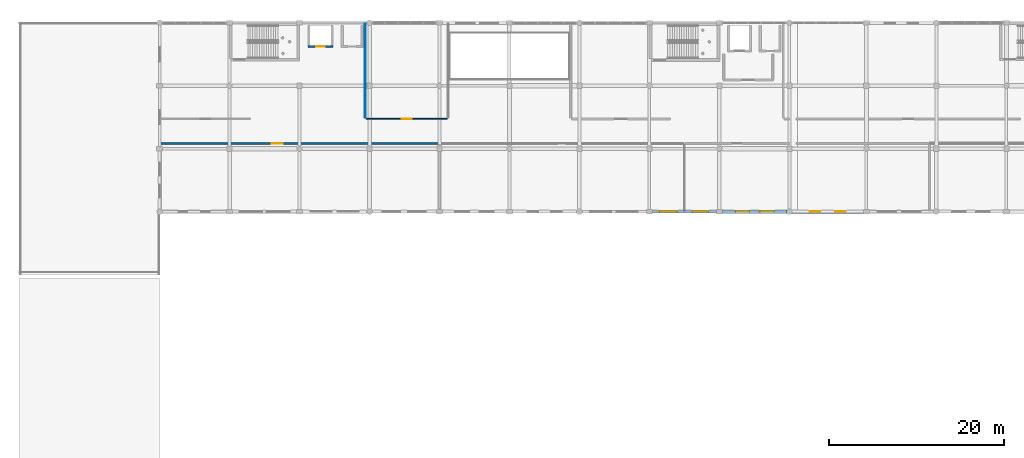
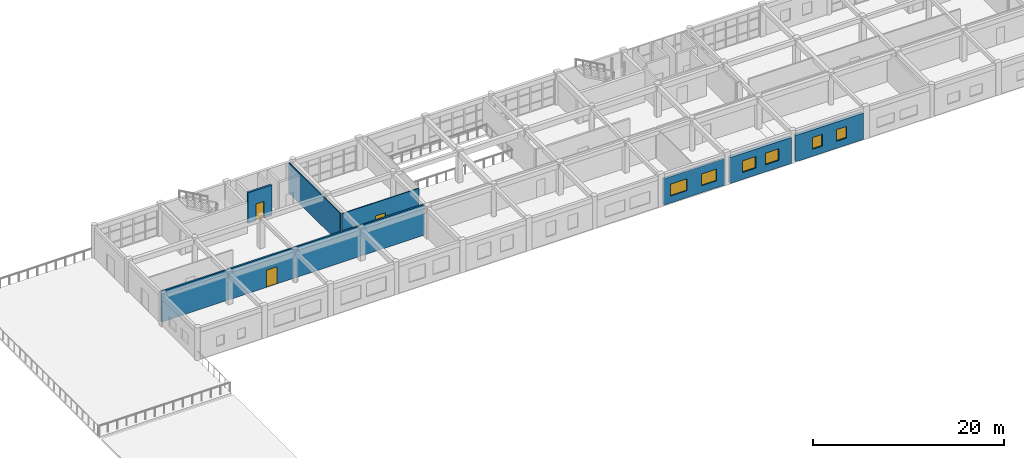
# One storey, part 42 of 53: 7 walls, 6 windows, 3 doors, 9 openings.
"""IFC4 building model written with IfcOpenShell, lengths in metres."""

import ifcopenshell
import ifcopenshell.guid

model = None  # the IFC model being written
_history = None  # IfcOwnerHistory: only IFC2X3 demands one
_inside = {}  # id of a spatial element -> (the spatial element, [elements in it])
_under = {}  # id of a project, library or spatial element -> (it, [spatial elements below it])
_declared = {}  # id of a project -> (the project, [libraries it declares])
_typed = {}  # id of a type object -> (the type object, [elements of that type])
_made_of = {}  # id of a material, layer set ... -> (it, [elements and type objects made of it])


def new_model(schema):
    """Start an empty IFC model of exactly this schema.

    Asked for "IFC4X3", IfcOpenShell would pick the latest addendum, in which some entities
    have other attributes; the version numbers below select the first issue.
    IFC2X3 requires an IfcOwnerHistory on every rooted entity: one is made here for all.
    """
    global model, _history
    if schema == "IFC4X3":
        model = ifcopenshell.file(schema_version=(4, 3, 0, 0))
    else:
        model = ifcopenshell.file(schema=schema)
    _inside.clear()
    _under.clear()
    _declared.clear()
    _typed.clear()
    _made_of.clear()
    _history = None
    if model.schema == "IFC2X3":
        org = make("IfcOrganization", Name="unknown")
        user = make(
            "IfcPersonAndOrganization",
            ThePerson=make("IfcPerson", FamilyName="unknown"),
            TheOrganization=org,
        )
        app = make(
            "IfcApplication",
            ApplicationDeveloper=org,
            Version="unknown",
            ApplicationFullName="unknown",
            ApplicationIdentifier="unknown",
        )
        _history = make(
            "IfcOwnerHistory",
            OwningUser=user,
            OwningApplication=app,
            ChangeAction="ADDED",
            CreationDate=0,
        )
    return model


def make(cls, **values):
    """One entity of the class cls with the attributes given. An attribute that is None is left unset."""
    return model.create_entity(
        cls, **{name: value for name, value in values.items() if value is not None}
    )


def rooted(cls, **values):
    """An entity with a GlobalId (a new one), such as an element, a storey or a relation."""
    return make(cls, GlobalId=ifcopenshell.guid.new(), OwnerHistory=_history, **values)


def si_unit(unit_type, name, prefix=None):
    """IfcSIUnit, for example si_unit("LENGTHUNIT", "METRE", prefix="MILLI")."""
    return make("IfcSIUnit", UnitType=unit_type, Prefix=prefix, Name=name)


def assignment(units):
    """IfcUnitAssignment: the units of a project."""
    return None if units is None else make("IfcUnitAssignment", Units=units)


def point(xyz):
    """IfcCartesianPoint."""
    return None if xyz is None else make("IfcCartesianPoint", Coordinates=xyz)


def direction(xyz):
    """IfcDirection."""
    return None if xyz is None else make("IfcDirection", DirectionRatios=xyz)


def frame(location, z_axis=None, x_axis=None):
    """IfcAxis2Placement3D, a coordinate frame: its origin and axes. An axis left out is left unset."""
    return make(
        "IfcAxis2Placement3D",
        Location=point(location),
        Axis=direction(z_axis),
        RefDirection=direction(x_axis),
    )


def frame_2d(location, x_axis=None):
    """IfcAxis2Placement2D, a coordinate frame in the plane: its origin and x axis."""
    return make(
        "IfcAxis2Placement2D", Location=point(location), RefDirection=direction(x_axis)
    )


def origin():
    """The frame at (0, 0, 0) with its axes left unset."""
    return frame((0.0, 0.0, 0.0))


def place(relative_to, where):
    """IfcLocalPlacement: puts the frame where relative to a parent placement (None: the world)."""
    return make(
        "IfcLocalPlacement", PlacementRelTo=relative_to, RelativePlacement=where
    )


def context(
    kind, dimensions, precision=None, world=None, true_north=None, identifier=None
):
    """IfcGeometricRepresentationContext, for example the 3D "Model" context."""
    return make(
        "IfcGeometricRepresentationContext",
        ContextIdentifier=identifier,
        ContextType=kind,
        CoordinateSpaceDimension=dimensions,
        Precision=precision,
        WorldCoordinateSystem=world,
        TrueNorth=true_north,
    )


def subcontext(parent, identifier, kind, view, scale=None):
    """IfcGeometricRepresentationSubContext, for example "Body" below "Model"."""
    return make(
        "IfcGeometricRepresentationSubContext",
        ContextIdentifier=identifier,
        ContextType=kind,
        ParentContext=parent,
        TargetScale=scale,
        TargetView=view,
    )


def project(units=None, contexts=None):
    """IfcProject with its units and contexts."""
    return rooted(
        "IfcProject",
        Name="project",
        RepresentationContexts=contexts,
        UnitsInContext=assignment(units),
    )


def spatial(cls, under=None, at=None, **own):
    """A site, building, storey or space (cls), placed at a placement, below another one or the project."""
    s = rooted(cls, ObjectPlacement=at, **own)
    if under is not None:
        _under.setdefault(under.id(), (under, []))[1].append(s)
    return s


def profile(cls, at=None, kind="AREA", **sizes):
    """A parametric profile (cls). Its sizes go by their IFC names, for example OverallWidth=200.0."""
    return make(cls, ProfileType=kind, Position=at, **sizes)


def rectangle(**sizes):
    """IfcRectangleProfileDef."""
    return profile("IfcRectangleProfileDef", **sizes)


def extrude(swept, where, along, depth):
    """IfcExtrudedAreaSolid: the profile swept, set in the frame where, extruded along a direction by depth."""
    return make(
        "IfcExtrudedAreaSolid",
        SweptArea=swept,
        Position=where,
        ExtrudedDirection=direction(along),
        Depth=depth,
    )


def shape(context_of_items, identifier, shape_type, items):
    """IfcShapeRepresentation: the items that make up one representation, for example the "Body"."""
    return make(
        "IfcShapeRepresentation",
        ContextOfItems=context_of_items,
        RepresentationIdentifier=identifier,
        RepresentationType=shape_type,
        Items=items,
    )


def material(Name=None, Category=None):
    """IfcMaterial."""
    return make("IfcMaterial", Name=Name, Category=Category)


def layer(
    of_material, thickness, ventilated=None, Name=None, Category=None, Priority=None
):
    """IfcMaterialLayer: one layer of a wall or slab, of a material (None: an air gap)."""
    return make(
        "IfcMaterialLayer",
        Material=of_material,
        LayerThickness=thickness,
        IsVentilated=ventilated,
        Name=Name,
        Category=Category,
        Priority=Priority,
    )


def layer_set(layers, Name=None):
    """IfcMaterialLayerSet."""
    return make("IfcMaterialLayerSet", MaterialLayers=layers, LayerSetName=Name)


def made_of(thing, what):
    """Note that an element or type object is made of a material, layer set ...; save() writes the relation."""
    if what is not None:
        _made_of.setdefault(what.id(), (what, []))[1].append(thing)
    return thing


def type_object(cls, material=None, **own):
    """A type object (cls), such as IfcWallType, which elements share."""
    return made_of(rooted(cls, **own), material)


def element(
    cls,
    number,
    at=None,
    inside=None,
    cuts=None,
    type_object=None,
    material=None,
    context=None,
    identifier="Body",
    shape_type=None,
    held_by="IfcProductDefinitionShape",
    body=None,
    shapes=None,
    **own,
):
    """One element of the class cls, such as IfcWall. Its Tag is "e" and its number.

    at: its placement. inside: the storey or other place that contains it. cuts: it is an
    opening in that element (IfcRelVoidsElement). A single representation is given by context,
    identifier, shape_type and body (its items); several are given by shapes. held_by: the class
    of the entity that holds the representations. save() writes the other relations.
    """
    e = rooted(cls, Tag="e%d" % number, ObjectPlacement=at, **own)
    if body is not None:
        shapes = [shape(context, identifier, shape_type, body)]
    if shapes is not None:
        e.Representation = make(held_by, Representations=shapes)
    if inside is not None:
        _inside.setdefault(inside.id(), (inside, []))[1].append(e)
    if cuts is not None:
        rooted(
            "IfcRelVoidsElement", RelatingBuildingElement=cuts, RelatedOpeningElement=e
        )
    if type_object is not None:
        _typed.setdefault(type_object.id(), (type_object, []))[1].append(e)
    return made_of(e, material)


def fill(opening, filler):
    """IfcRelFillsElement: the door or window that sits in an opening."""
    return rooted(
        "IfcRelFillsElement",
        RelatingOpeningElement=opening,
        RelatedBuildingElement=filler,
    )


def aggregate(whole, parts):
    """IfcRelAggregates: a whole, such as a stair, and the parts it consists of."""
    return rooted("IfcRelAggregates", RelatingObject=whole, RelatedObjects=parts)


def save(model, path):
    """Write the relations noted so far, then the file.

    IfcRelAggregates (storeys below a building ...), IfcRelContainedInSpatialStructure (elements
    in a storey), IfcRelDefinesByType, IfcRelAssociatesMaterial and IfcRelDeclares: one each for
    every whole, place, type object, material and project.
    """
    for whole, parts in _under.values():
        aggregate(whole, parts)
    for where, things in _inside.values():
        rooted(
            "IfcRelContainedInSpatialStructure",
            RelatedElements=things,
            RelatingStructure=where,
        )
    for kind, things in _typed.values():
        rooted("IfcRelDefinesByType", RelatedObjects=things, RelatingType=kind)
    for what, things in _made_of.values():
        rooted("IfcRelAssociatesMaterial", RelatedObjects=things, RelatingMaterial=what)
    for by, libraries in _declared.values():
        rooted("IfcRelDeclares", RelatingContext=by, RelatedDefinitions=libraries)
    model.write(path)


model = new_model("IFC4")

# Units and contexts
model_context = context("Model", 3, precision=1e-05, world=origin(), true_north=direction((0.0, 1.0)))
body_context = subcontext(model_context, "Body", "Model", "MODEL_VIEW")
ifc_project = project(units=[si_unit("LENGTHUNIT", "METRE"), si_unit("AREAUNIT", "SQUARE_METRE"), si_unit("VOLUMEUNIT", "CUBIC_METRE"), si_unit("PLANEANGLEUNIT", "RADIAN"), si_unit("MASSUNIT", "GRAM", prefix="KILO")], contexts=[model_context])

# Site, building, storey
site_placement = place(None, origin())
site = spatial("IfcSite", under=ifc_project, at=site_placement, CompositionType="ELEMENT")
building_placement = place(site_placement, origin())
building = spatial("IfcBuilding", under=site, at=building_placement, Name="Kharva Crest Polytechnic", CompositionType="ELEMENT")
storey_placement = place(building_placement, frame((0.0, 0.0, 17.39990234375)))
storey = spatial("IfcBuildingStorey", under=building, at=storey_placement, Name="L04", CompositionType="ELEMENT", Elevation=17.39990234375)

# Wall, openings, windows
ifc_material_1 = material(Name="Kiln brick masonry", Category="masonry")
ifc_layer_1 = layer(ifc_material_1, 0.260009765625, Name="Kiln brick masonry")
ifc_layer_set_1 = layer_set([ifc_layer_1], Name="Kiln brick masonry")
wall_type_1 = type_object("IfcWallType", Name="WL-EXT-BRK-260", PredefinedType="SOLIDWALL", material=ifc_layer_set_1)
wall_1_placement = place(storey_placement, frame((104.344970703125, 100.39990234375, 0.0), z_axis=(0.0, 0.0, 1.0), x_axis=(1.0, 0.0, 0.0)))
wall_1 = element("IfcWall", 1, at=wall_1_placement, inside=storey, type_object=wall_type_1, Name="L04 Exterior Brick Wall 401", PredefinedType="SOLIDWALL", context=body_context, shape_type="SweptSolid", body=[
    extrude(rectangle(XDim=7.320068359375, YDim=0.260009765625, at=frame_2d((3.66015625, 0.0))), origin(), (0.0, 0.0, 1.0), 3.3701171875),
])
opening_1_placement = place(wall_1_placement, frame((0.827880859375, 0.0, 0.89990234375)))
opening_1 = element("IfcOpeningElement", 2, at=opening_1_placement, cuts=wall_1, Name="Opening W12", PredefinedType="OPENING", context=body_context, shape_type="SweptSolid", body=[
    extrude(rectangle(XDim=2.0, YDim=1.5, at=frame_2d((1.0, 0.75))), frame((0.0, 0.139892578125, 0.0), z_axis=(0.0, -1.0, 0.0), x_axis=(1.0, 0.0, 0.0)), (0.0, 0.0, 1.0), 0.280029296875),
])
opening_2_placement = place(wall_1_placement, frame((4.587890625, 0.0, 0.89990234375)))
opening_2 = element("IfcOpeningElement", 3, at=opening_2_placement, cuts=wall_1, Name="Opening W13", PredefinedType="OPENING", context=body_context, shape_type="SweptSolid", body=[
    extrude(rectangle(XDim=1.800048828125, YDim=1.5, at=frame_2d((0.89990234375, 0.75))), frame((0.0, 0.139892578125, 0.0), z_axis=(0.0, -1.0, 0.0), x_axis=(1.0, 0.0, 0.0)), (0.0, 0.0, 1.0), 0.280029296875),
])
ifc_material_2 = material(Name="Anodised aluminium", Category="aluminium")
window_type_1 = type_object("IfcWindowType", Name="WIN-ALU-1800X1500", PartitioningType="SINGLE_PANEL", PredefinedType="WINDOW", material=ifc_material_2)
window_1_placement = place(opening_2_placement, origin())
window_1 = element("IfcWindow", 4, at=window_1_placement, inside=storey, type_object=window_type_1, Name="L04 Exterior Window 560", OverallHeight=1.5, OverallWidth=1.800048828125, PartitioningType="SINGLE_PANEL", PredefinedType="WINDOW", context=body_context, shape_type="SweptSolid", body=[
    extrude(rectangle(XDim=1.800048828125, YDim=1.5, at=frame_2d((0.89990234375, 0.75))), frame((0.0, 0.030029296875, 0.0), z_axis=(0.0, -1.0, 0.0), x_axis=(1.0, 0.0, 0.0)), (0.0, 0.0, 1.0), 0.06005859375),
])
fill(opening_2, window_1)
window_type_2 = type_object("IfcWindowType", Name="WIN-ALU-2000X1500", PartitioningType="SINGLE_PANEL", PredefinedType="WINDOW", material=ifc_material_2)
window_2_placement = place(opening_1_placement, origin())
window_2 = element("IfcWindow", 5, at=window_2_placement, inside=storey, type_object=window_type_2, Name="L04 Exterior Window 559", OverallHeight=1.5, OverallWidth=2.0, PartitioningType="SINGLE_PANEL", PredefinedType="WINDOW", context=body_context, shape_type="SweptSolid", body=[
    extrude(rectangle(XDim=2.0, YDim=1.5, at=frame_2d((1.0, 0.75))), frame((0.0, 0.030029296875, 0.0), z_axis=(0.0, -1.0, 0.0), x_axis=(1.0, 0.0, 0.0)), (0.0, 0.0, 1.0), 0.06005859375),
])
fill(opening_1, window_2)

ifc_layer_2 = layer(ifc_material_1, 0.364990234375, Name="Kiln brick masonry")
ifc_layer_set_2 = layer_set([ifc_layer_2], Name="Kiln brick masonry")
wall_type_2 = type_object("IfcWallType", Name="WL-EXT-BRK-365", PredefinedType="SOLIDWALL", material=ifc_layer_set_2)
wall_2_placement = place(storey_placement, frame((120.268798828125, 100.39990234375, 0.0), z_axis=(0.0, 0.0, 1.0), x_axis=(1.0, 0.0, 0.0)))
wall_2 = element("IfcWall", 6, at=wall_2_placement, inside=storey, type_object=wall_type_2, Name="L04 Exterior Brick Wall 403", PredefinedType="SOLIDWALL", context=body_context, shape_type="SweptSolid", body=[
    extrude(rectangle(XDim=8.1962890625, YDim=0.364990234375, at=frame_2d((4.09814453125, 0.0))), origin(), (0.0, 0.0, 1.0), 3.3701171875),
])
opening_3_placement = place(wall_2_placement, frame((2.0390625, 0.0, 0.89990234375)))
opening_3 = element("IfcOpeningElement", 7, at=opening_3_placement, cuts=wall_2, Name="Opening W16", PredefinedType="OPENING", context=body_context, shape_type="SweptSolid", body=[
    extrude(rectangle(XDim=1.199951171875, YDim=1.5, at=frame_2d((0.60009765625, 0.75))), frame((0.0, 0.1923828125, 0.0), z_axis=(0.0, -1.0, 0.0), x_axis=(1.0, 0.0, 0.0)), (0.0, 0.0, 1.0), 0.385009765625),
])
opening_4_placement = place(wall_2_placement, frame((4.95703125, 0.0, 0.89990234375)))
opening_4 = element("IfcOpeningElement", 8, at=opening_4_placement, cuts=wall_2, Name="Opening W16", PredefinedType="OPENING", context=body_context, shape_type="SweptSolid", body=[
    extrude(rectangle(XDim=1.199951171875, YDim=1.5, at=frame_2d((0.60009765625, 0.75))), frame((0.0, 0.1923828125, 0.0), z_axis=(0.0, -1.0, 0.0), x_axis=(1.0, 0.0, 0.0)), (0.0, 0.0, 1.0), 0.385009765625),
])
window_type_3 = type_object("IfcWindowType", Name="WIN-ALU-1200X1500", PartitioningType="SINGLE_PANEL", PredefinedType="WINDOW", material=ifc_material_2)
window_3_placement = place(opening_3_placement, origin())
window_3 = element("IfcWindow", 9, at=window_3_placement, inside=storey, type_object=window_type_3, Name="L04 Exterior Window 563", OverallHeight=1.5, OverallWidth=1.199951171875, PartitioningType="SINGLE_PANEL", PredefinedType="WINDOW", context=body_context, shape_type="SweptSolid", body=[
    extrude(rectangle(XDim=1.199951171875, YDim=1.5, at=frame_2d((0.60009765625, 0.75))), frame((0.0, 0.030029296875, 0.0), z_axis=(0.0, -1.0, 0.0), x_axis=(1.0, 0.0, 0.0)), (0.0, 0.0, 1.0), 0.06005859375),
])
fill(opening_3, window_3)
window_4_placement = place(opening_4_placement, origin())
window_4 = element("IfcWindow", 10, at=window_4_placement, inside=storey, type_object=window_type_3, Name="L04 Exterior Window 564", OverallHeight=1.5, OverallWidth=1.199951171875, PartitioningType="SINGLE_PANEL", PredefinedType="WINDOW", context=body_context, shape_type="SweptSolid", body=[
    extrude(rectangle(XDim=1.199951171875, YDim=1.5, at=frame_2d((0.60009765625, 0.75))), frame((0.0, 0.030029296875, 0.0), z_axis=(0.0, -1.0, 0.0), x_axis=(1.0, 0.0, 0.0)), (0.0, 0.0, 1.0), 0.06005859375),
])
fill(opening_4, window_4)

ifc_layer_3 = layer(ifc_material_1, 0.3798828125, Name="Kiln brick masonry")
ifc_layer_set_3 = layer_set([ifc_layer_3], Name="Kiln brick masonry")
wall_type_3 = type_object("IfcWallType", Name="WL-EXT-BRK-380", PredefinedType="SOLIDWALL", material=ifc_layer_set_3)
wall_3_placement = place(storey_placement, frame((112.3349609375, 100.39990234375, 0.0), z_axis=(0.0, 0.0, 1.0), x_axis=(1.0, 0.0, 0.0)))
wall_3 = element("IfcWall", 11, at=wall_3_placement, inside=storey, type_object=wall_type_3, Name="L04 Exterior Brick Wall 402", PredefinedType="SOLIDWALL", context=body_context, shape_type="SweptSolid", body=[
    extrude(rectangle(XDim=7.396240234375, YDim=0.3798828125, at=frame_2d((3.6982421875, 0.0))), origin(), (0.0, 0.0, 1.0), 3.320068359375),
])
opening_5_placement = place(wall_3_placement, frame((1.5048828125, 0.0, 0.89990234375)))
opening_5 = element("IfcOpeningElement", 12, at=opening_5_placement, cuts=wall_3, Name="Opening W14", PredefinedType="OPENING", context=body_context, shape_type="SweptSolid", body=[
    extrude(rectangle(XDim=1.60009765625, YDim=1.5, at=frame_2d((0.800048828125, 0.75))), frame((0.0, 0.199951171875, 0.0), z_axis=(0.0, -1.0, 0.0), x_axis=(1.0, 0.0, 0.0)), (0.0, 0.0, 1.0), 0.39990234375),
])
opening_6_placement = place(wall_3_placement, frame((4.291015625, 0.0, 0.89990234375)))
opening_6 = element("IfcOpeningElement", 13, at=opening_6_placement, cuts=wall_3, Name="Opening W14", PredefinedType="OPENING", context=body_context, shape_type="SweptSolid", body=[
    extrude(rectangle(XDim=1.60009765625, YDim=1.5, at=frame_2d((0.800048828125, 0.75))), frame((0.0, 0.199951171875, 0.0), z_axis=(0.0, -1.0, 0.0), x_axis=(1.0, 0.0, 0.0)), (0.0, 0.0, 1.0), 0.39990234375),
])
window_type_4 = type_object("IfcWindowType", Name="WIN-ALU-1600X1500", PartitioningType="SINGLE_PANEL", PredefinedType="WINDOW", material=ifc_material_2)
window_5_placement = place(opening_5_placement, origin())
window_5 = element("IfcWindow", 14, at=window_5_placement, inside=storey, type_object=window_type_4, Name="L04 Exterior Window 561", OverallHeight=1.5, OverallWidth=1.60009765625, PartitioningType="SINGLE_PANEL", PredefinedType="WINDOW", context=body_context, shape_type="SweptSolid", body=[
    extrude(rectangle(XDim=1.60009765625, YDim=1.5, at=frame_2d((0.800048828125, 0.75))), frame((0.0, 0.030029296875, 0.0), z_axis=(0.0, -1.0, 0.0), x_axis=(1.0, 0.0, 0.0)), (0.0, 0.0, 1.0), 0.06005859375),
])
fill(opening_5, window_5)
window_6_placement = place(opening_6_placement, origin())
window_6 = element("IfcWindow", 15, at=window_6_placement, inside=storey, type_object=window_type_4, Name="L04 Exterior Window 562", OverallHeight=1.5, OverallWidth=1.60009765625, PartitioningType="SINGLE_PANEL", PredefinedType="WINDOW", context=body_context, shape_type="SweptSolid", body=[
    extrude(rectangle(XDim=1.60009765625, YDim=1.5, at=frame_2d((0.800048828125, 0.75))), frame((0.0, 0.030029296875, 0.0), z_axis=(0.0, -1.0, 0.0), x_axis=(1.0, 0.0, 0.0)), (0.0, 0.0, 1.0), 0.06005859375),
])
fill(opening_6, window_6)

# Wall, opening, door
ifc_layer_4 = layer(ifc_material_1, 0.199951171875, Name="Kiln brick masonry")
ifc_layer_set_4 = layer_set([ifc_layer_4], Name="Kiln brick masonry")
wall_type_4 = type_object("IfcWallType", Name="WL-FIRE-FW1-200", PredefinedType="SOLIDWALL", material=ifc_layer_set_4)
wall_4_placement = place(storey_placement, frame((48.110107421875, 108.18994140625, 0.0), z_axis=(0.0, 0.0, 1.0), x_axis=(1.0, 0.0, 0.0)))
wall_4 = element("IfcWall", 16, at=wall_4_placement, inside=storey, type_object=wall_type_4, Name="L04 Interior Partition 336", PredefinedType="SOLIDWALL", context=body_context, shape_type="SweptSolid", body=[
    extrude(rectangle(XDim=31.77978515625, YDim=0.199951171875, at=frame_2d((15.889892578125, 0.0))), origin(), (0.0, 0.0, 1.0), 3.900146484375),
])
opening_7_placement = place(wall_4_placement, frame((12.7080078125, 0.0, 0.0)))
opening_7 = element("IfcOpeningElement", 17, at=opening_7_placement, cuts=wall_4, Name="Opening ID7", PredefinedType="OPENING", context=body_context, shape_type="SweptSolid", body=[
    extrude(rectangle(XDim=1.280029296875, YDim=2.199951171875, at=frame_2d((0.64013671875, 1.10009765625))), frame((0.0, 0.10986328125, 0.0), z_axis=(0.0, -1.0, 0.0), x_axis=(1.0, 0.0, 0.0)), (0.0, 0.0, 1.0), 0.219970703125),
])
ifc_material_3 = material(Name="Teak timber", Category="wood")
door_type_1 = type_object("IfcDoorType", Name="DR-LAB-1280X2200", OperationType="NOTDEFINED", PredefinedType="DOOR", material=ifc_material_3)
door_1_placement = place(opening_7_placement, origin())
door_1 = element("IfcDoor", 18, at=door_1_placement, inside=storey, type_object=door_type_1, Name="L04 Building Physics and Daylight Laboratory Door", OperationType="SINGLE_SWING_LEFT", OverallHeight=2.199951171875, OverallWidth=1.280029296875, PredefinedType="DOOR", context=body_context, shape_type="SweptSolid", body=[
    extrude(rectangle(XDim=1.280029296875, YDim=2.199951171875, at=frame_2d((0.64013671875, 1.10009765625))), frame((0.0, 0.02490234375, 0.0), z_axis=(0.0, -1.0, 0.0), x_axis=(1.0, 0.0, 0.0)), (0.0, 0.0, 1.0), 0.050048828125),
])
fill(opening_7, door_1)

# Wall
ifc_layer_5 = layer(ifc_material_1, 0.10009765625, Name="Kiln brick masonry")
ifc_layer_set_5 = layer_set([ifc_layer_5], Name="Kiln brick masonry")
wall_type_5 = type_object("IfcWallType", Name="WL-PART-100", PredefinedType="PARTITIONING", material=ifc_layer_set_5)
wall_5_placement = place(storey_placement, frame((71.5, 111.1201171875, 0.0), z_axis=(0.0, 0.0, 1.0), x_axis=(0.0, 1.0, 0.0)))
element("IfcWall", 19, at=wall_5_placement, inside=storey, type_object=wall_type_5, Name="L04 Interior Partition 348", PredefinedType="PARTITIONING", context=body_context, shape_type="SweptSolid", body=[
    extrude(rectangle(XDim=10.769775390625, YDim=0.10009765625, at=frame_2d((5.384765625, 0.0))), origin(), (0.0, 0.0, 1.0), 3.900146484375),
])

# Wall, opening, door
ifc_layer_6 = layer(ifc_material_1, 0.110107421875, Name="Kiln brick masonry")
ifc_layer_set_6 = layer_set([ifc_layer_6], Name="Kiln brick masonry")
wall_type_6 = type_object("IfcWallType", Name="WL-PART-110", PredefinedType="PARTITIONING", material=ifc_layer_set_6)
wall_6_placement = place(storey_placement, frame((71.610107421875, 111.010009765625, 0.0), z_axis=(0.0, 0.0, 1.0), x_axis=(1.0, 0.0, 0.0)))
wall_6 = element("IfcWall", 20, at=wall_6_placement, inside=storey, type_object=wall_type_6, Name="L04 Interior Partition 347", PredefinedType="PARTITIONING", context=body_context, shape_type="SweptSolid", body=[
    extrude(rectangle(XDim=9.27978515625, YDim=0.110107421875, at=frame_2d((4.639892578125, 0.0))), origin(), (0.0, 0.0, 1.0), 3.900146484375),
])
opening_8_placement = place(wall_6_placement, frame((4.050048828125, 0.0, 0.0)))
opening_8 = element("IfcOpeningElement", 21, at=opening_8_placement, cuts=wall_6, Name="Opening ID8", PredefinedType="OPENING", context=body_context, shape_type="SweptSolid", body=[
    extrude(rectangle(XDim=1.179931640625, YDim=2.199951171875, at=frame_2d((0.58984375, 1.10009765625))), frame((0.0, 0.06494140625, 0.0), z_axis=(0.0, -1.0, 0.0), x_axis=(1.0, 0.0, 0.0)), (0.0, 0.0, 1.0), 0.130126953125),
])
door_type_2 = type_object("IfcDoorType", Name="DR-STD-1180X2200", OperationType="NOTDEFINED", PredefinedType="DOOR", material=ifc_material_3)
door_2_placement = place(opening_8_placement, origin())
door_2 = element("IfcDoor", 22, at=door_2_placement, inside=storey, type_object=door_type_2, Name="L04 Urban Design Studio L04-B Door", OperationType="SINGLE_SWING_RIGHT", OverallHeight=2.199951171875, OverallWidth=1.179931640625, PredefinedType="DOOR", context=body_context, shape_type="SweptSolid", body=[
    extrude(rectangle(XDim=1.179931640625, YDim=2.199951171875, at=frame_2d((0.58984375, 1.10009765625))), frame((0.0, 0.02490234375, 0.0), z_axis=(0.0, -1.0, 0.0), x_axis=(1.0, 0.0, 0.0)), (0.0, 0.0, 1.0), 0.050048828125),
])
fill(opening_8, door_2)

ifc_material_4 = material(Name="Concrete C40/50", Category="concrete")
ifc_layer_7 = layer(ifc_material_4, 0.25, Name="Concrete C40/50")
ifc_layer_set_7 = layer_set([ifc_layer_7], Name="Concrete C40/50")
wall_type_7 = type_object("IfcWallType", Name="WL-SHEAR-SW1-250", PredefinedType="SHEAR", material=ifc_layer_set_7)
wall_7_placement = place(storey_placement, frame((64.949951171875, 119.27490234375, 0.0), z_axis=(0.0, 0.0, 1.0), x_axis=(1.0, 0.0, 0.0)))
wall_7 = element("IfcWall", 23, at=wall_7_placement, inside=storey, type_object=wall_type_7, Name="L04 Lift PL3 South Shaft Wall", PredefinedType="SHEAR", context=body_context, shape_type="SweptSolid", body=[
    extrude(rectangle(XDim=2.900146484375, YDim=0.25, at=frame_2d((1.4501953125, 0.0))), origin(), (0.0, 0.0, 1.0), 3.920166015625),
])
opening_9_placement = place(wall_7_placement, frame((0.949951171875, 0.0, 0.0)))
opening_9 = element("IfcOpeningElement", 24, at=opening_9_placement, cuts=wall_7, Name="Opening LD2", PredefinedType="OPENING", context=body_context, shape_type="SweptSolid", body=[
    extrude(rectangle(XDim=1.0, YDim=2.14990234375, at=frame_2d((0.5, 1.074951171875))), frame((0.0, 0.135009765625, 0.0), z_axis=(0.0, -1.0, 0.0), x_axis=(1.0, 0.0, 0.0)), (0.0, 0.0, 1.0), 0.27001953125),
])
door_type_3 = type_object("IfcDoorType", Name="DR-LIFT-LD2-1000X2150", OperationType="SLIDING_TO_LEFT", PredefinedType="DOOR", material=ifc_material_2)
door_3_placement = place(opening_9_placement, origin())
door_3 = element("IfcDoor", 25, at=door_3_placement, inside=storey, type_object=door_type_3, Name="L04 Lift PL3 Sliding Landing Door", OperationType="SLIDING_TO_LEFT", OverallHeight=2.14990234375, OverallWidth=1.0, PredefinedType="DOOR", context=body_context, shape_type="SweptSolid", body=[
    extrude(rectangle(XDim=1.0, YDim=2.14990234375, at=frame_2d((0.5, 1.074951171875))), frame((0.0, 0.02490234375, 0.0), z_axis=(0.0, -1.0, 0.0), x_axis=(1.0, 0.0, 0.0)), (0.0, 0.0, 1.0), 0.050048828125),
])
fill(opening_9, door_3)

save(model, "model.ifc")
